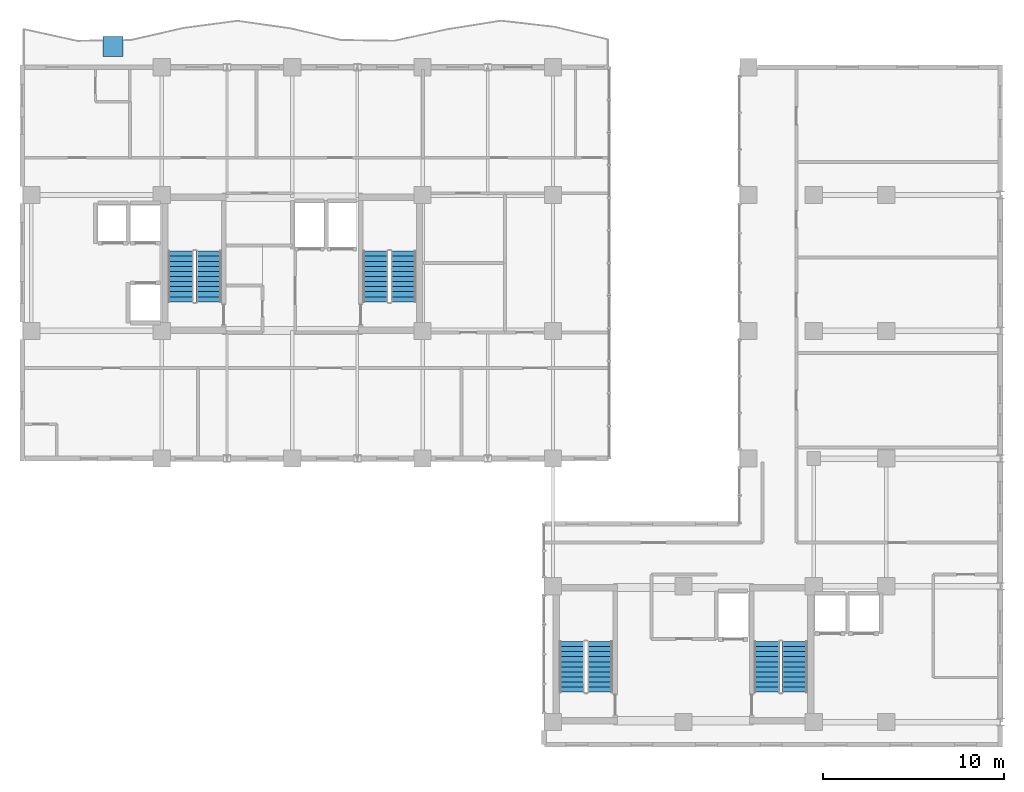
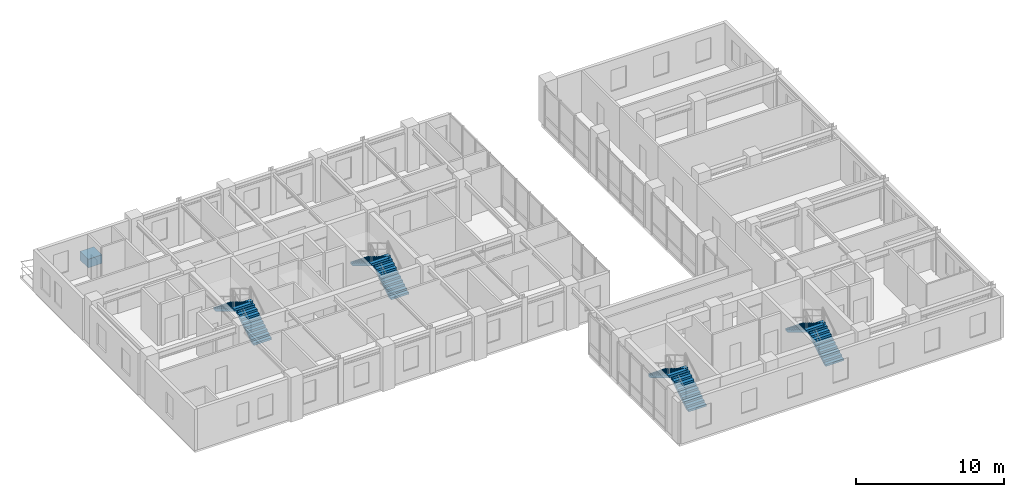
# One storey, part 21 of 24: 8 stair flights, 1 discrete accessory, 4 elements without a shape of their own.
"""IFC4 building model written with IfcOpenShell, lengths in metres."""

from ifc_helpers import new_model, si_unit, direction, frame, origin, origin_2d, place, context, subcontext, project, spatial, polyline, rectangle, outline, extrude, source, transform, mapped, material, type_object, element, aggregate, save


model = new_model("IFC4")

# Units and contexts
model_context = context("Model", 3, precision=1e-05, world=origin(), true_north=direction((0.0, 1.0)))
body_context = subcontext(model_context, "Body", "Model", "MODEL_VIEW")
ifc_project = project(units=[si_unit("LENGTHUNIT", "METRE"), si_unit("AREAUNIT", "SQUARE_METRE"), si_unit("VOLUMEUNIT", "CUBIC_METRE"), si_unit("PLANEANGLEUNIT", "RADIAN"), si_unit("MASSUNIT", "GRAM", prefix="KILO")], contexts=[model_context])

# Site, building, storey
site_placement = place(None, origin())
site = spatial("IfcSite", under=ifc_project, at=site_placement, CompositionType="ELEMENT")
building_placement = place(site_placement, origin())
building = spatial("IfcBuilding", under=site, at=building_placement, Name="Kaliganga Portal Commons", CompositionType="ELEMENT")
storey_placement = place(building_placement, frame((0.0, 0.0, 238.800048828125)))
storey = spatial("IfcBuildingStorey", under=building, at=storey_placement, Name="L61", CompositionType="ELEMENT", Elevation=238.800048828125)

# Stair, stair flights
ifc_material_1 = material(Name="Concrete C40/50", Category="concrete")
stair_type = type_object("IfcStairType", Name="ST-CORE-DOGLEG", PredefinedType="HALF_TURN_STAIR", material=ifc_material_1)
stair_1_placement = place(storey_placement, origin())
stair_1 = element("IfcStair", 1, at=stair_1_placement, inside=storey, type_object=stair_type, Name="L61 Protected Exit Stair ST-A1", PredefinedType="HALF_TURN_STAIR")
stair_flight_type = type_object("IfcStairFlightType", Name="STF-RC-1400", PredefinedType="STRAIGHT", material=ifc_material_1)
stair_flight_1_placement = place(storey_placement, frame((17.0, 30.25, 0.0), z_axis=(0.0, 0.0, 1.0), x_axis=(0.0, 1.0, 0.0)))
stair_flight_1 = element("IfcStairFlight", 2, at=stair_flight_1_placement, type_object=stair_flight_type, Name="ST-A1 flight 1", NumberOfRisers=11, NumberOfTreads=10, PredefinedType="STRAIGHT", RiserHeight=0.168181818, TreadLength=0.28, context=body_context, shape_type="SweptSolid", body=[
    extrude(outline(polyline([(0.0, 0.0), (0.0, 0.168212890625), (0.280029296875, 0.168212890625), (0.280029296875, 0.33642578125), (0.56005859375, 0.33642578125), (0.56005859375, 0.504638671875), (0.840087890625, 0.504638671875), (0.840087890625, 0.672607421875), (1.1201171875, 0.672607421875), (1.1201171875, 0.8408203125), (1.39990234375, 0.8408203125), (1.39990234375, 1.009033203125), (1.679931640625, 1.009033203125), (1.679931640625, 1.17724609375), (1.9599609375, 1.17724609375), (1.9599609375, 1.345458984375), (2.239990234375, 1.345458984375), (2.239990234375, 1.513671875), (2.52001953125, 1.513671875), (2.52001953125, 1.681884765625), (2.800048828125, 1.681884765625), (2.800048828125, 1.85009765625), (2.800048828125, 1.5068359375), (0.291015625, 0.0), (0.0, 0.0)])), frame((0.0, 0.699951171875, 0.0), z_axis=(0.0, -1.0, 0.0), x_axis=(1.0, 0.0, 0.0)), (0.0, 0.0, 1.0), 1.39990234375),
])
stair_flight_2_placement = place(storey_placement, frame((15.449951171875, 33.050048828125, 1.849853515625), z_axis=(0.0, 0.0, 1.0), x_axis=(0.0, -1.0, 0.0)))
stair_flight_2 = element("IfcStairFlight", 3, at=stair_flight_2_placement, type_object=stair_flight_type, Name="ST-A1 flight 2", NumberOfRisers=11, NumberOfTreads=10, PredefinedType="STRAIGHT", RiserHeight=0.168181818, TreadLength=0.28, context=body_context, shape_type="SweptSolid", body=[
    extrude(outline(polyline([(0.0, 0.0), (0.0, 0.168212890625), (0.280029296875, 0.168212890625), (0.280029296875, 0.33642578125), (0.56005859375, 0.33642578125), (0.56005859375, 0.504638671875), (0.840087890625, 0.504638671875), (0.840087890625, 0.672607421875), (1.1201171875, 0.672607421875), (1.1201171875, 0.8408203125), (1.39990234375, 0.8408203125), (1.39990234375, 1.009033203125), (1.679931640625, 1.009033203125), (1.679931640625, 1.17724609375), (1.9599609375, 1.17724609375), (1.9599609375, 1.345458984375), (2.239990234375, 1.345458984375), (2.239990234375, 1.513671875), (2.52001953125, 1.513671875), (2.52001953125, 1.681884765625), (2.800048828125, 1.681884765625), (2.800048828125, 1.85009765625), (2.800048828125, 1.5068359375), (0.291015625, 0.0), (0.0, 0.0)])), frame((0.0, 0.699951171875, 0.0), z_axis=(0.0, -1.0, 0.0), x_axis=(1.0, 0.0, 0.0)), (0.0, 0.0, 1.0), 1.39990234375),
])
aggregate(stair_1, [stair_flight_1, stair_flight_2])

stair_2_placement = place(storey_placement, origin())
stair_2 = element("IfcStair", 4, at=stair_2_placement, inside=storey, type_object=stair_type, Name="L61 Protected Exit Stair ST-A2", PredefinedType="HALF_TURN_STAIR")
stair_flight_3_placement = place(storey_placement, frame((27.75, 30.25, 0.0), z_axis=(0.0, 0.0, 1.0), x_axis=(0.0, 1.0, 0.0)))
stair_flight_3 = element("IfcStairFlight", 5, at=stair_flight_3_placement, type_object=stair_flight_type, Name="ST-A2 flight 1", NumberOfRisers=11, NumberOfTreads=10, PredefinedType="STRAIGHT", RiserHeight=0.168181818, TreadLength=0.28, context=body_context, shape_type="SweptSolid", body=[
    extrude(outline(polyline([(0.0, 0.0), (0.0, 0.168212890625), (0.280029296875, 0.168212890625), (0.280029296875, 0.33642578125), (0.56005859375, 0.33642578125), (0.56005859375, 0.504638671875), (0.840087890625, 0.504638671875), (0.840087890625, 0.672607421875), (1.1201171875, 0.672607421875), (1.1201171875, 0.8408203125), (1.39990234375, 0.8408203125), (1.39990234375, 1.009033203125), (1.679931640625, 1.009033203125), (1.679931640625, 1.17724609375), (1.9599609375, 1.17724609375), (1.9599609375, 1.345458984375), (2.239990234375, 1.345458984375), (2.239990234375, 1.513671875), (2.52001953125, 1.513671875), (2.52001953125, 1.681884765625), (2.800048828125, 1.681884765625), (2.800048828125, 1.85009765625), (2.800048828125, 1.5068359375), (0.291015625, 0.0), (0.0, 0.0)])), frame((0.0, 0.699951171875, 0.0), z_axis=(0.0, -1.0, 0.0), x_axis=(1.0, 0.0, 0.0)), (0.0, 0.0, 1.0), 1.39990234375),
])
stair_flight_4_placement = place(storey_placement, frame((26.199951171875, 33.050048828125, 1.849853515625), z_axis=(0.0, 0.0, 1.0), x_axis=(0.0, -1.0, 0.0)))
stair_flight_4 = element("IfcStairFlight", 6, at=stair_flight_4_placement, type_object=stair_flight_type, Name="ST-A2 flight 2", NumberOfRisers=11, NumberOfTreads=10, PredefinedType="STRAIGHT", RiserHeight=0.168181818, TreadLength=0.28, context=body_context, shape_type="SweptSolid", body=[
    extrude(outline(polyline([(0.0, 0.0), (0.0, 0.168212890625), (0.280029296875, 0.168212890625), (0.280029296875, 0.33642578125), (0.56005859375, 0.33642578125), (0.56005859375, 0.504638671875), (0.840087890625, 0.504638671875), (0.840087890625, 0.672607421875), (1.1201171875, 0.672607421875), (1.1201171875, 0.8408203125), (1.39990234375, 0.8408203125), (1.39990234375, 1.009033203125), (1.679931640625, 1.009033203125), (1.679931640625, 1.17724609375), (1.9599609375, 1.17724609375), (1.9599609375, 1.345458984375), (2.239990234375, 1.345458984375), (2.239990234375, 1.513671875), (2.52001953125, 1.513671875), (2.52001953125, 1.681884765625), (2.800048828125, 1.681884765625), (2.800048828125, 1.85009765625), (2.800048828125, 1.5068359375), (0.291015625, 0.0), (0.0, 0.0)])), frame((0.0, 0.699951171875, 0.0), z_axis=(0.0, -1.0, 0.0), x_axis=(1.0, 0.0, 0.0)), (0.0, 0.0, 1.0), 1.39990234375),
])
aggregate(stair_2, [stair_flight_3, stair_flight_4])

stair_3_placement = place(storey_placement, origin())
stair_3 = element("IfcStair", 7, at=stair_3_placement, inside=storey, type_object=stair_type, Name="L61 Protected Exit Stair ST-B1", PredefinedType="HALF_TURN_STAIR")
stair_flight_5_placement = place(storey_placement, frame((38.60009765625, 8.699951171875, 0.0), z_axis=(0.0, 0.0, 1.0), x_axis=(0.0, 1.0, 0.0)))
stair_flight_5 = element("IfcStairFlight", 8, at=stair_flight_5_placement, type_object=stair_flight_type, Name="ST-B1 flight 1", NumberOfRisers=11, NumberOfTreads=10, PredefinedType="STRAIGHT", RiserHeight=0.168181818, TreadLength=0.28, context=body_context, shape_type="SweptSolid", body=[
    extrude(outline(polyline([(0.0, 0.0), (0.0, 0.168212890625), (0.280029296875, 0.168212890625), (0.280029296875, 0.33642578125), (0.56005859375, 0.33642578125), (0.56005859375, 0.504638671875), (0.840087890625, 0.504638671875), (0.840087890625, 0.672607421875), (1.1201171875, 0.672607421875), (1.1201171875, 0.8408203125), (1.39990234375, 0.8408203125), (1.39990234375, 1.009033203125), (1.679931640625, 1.009033203125), (1.679931640625, 1.17724609375), (1.9599609375, 1.17724609375), (1.9599609375, 1.345458984375), (2.239990234375, 1.345458984375), (2.239990234375, 1.513671875), (2.52001953125, 1.513671875), (2.52001953125, 1.681884765625), (2.800048828125, 1.681884765625), (2.800048828125, 1.85009765625), (2.800048828125, 1.5068359375), (0.291015625, 0.0), (0.0, 0.0)])), frame((0.0, 0.699951171875, 0.0), z_axis=(0.0, -1.0, 0.0), x_axis=(1.0, 0.0, 0.0)), (0.0, 0.0, 1.0), 1.39990234375),
])
stair_flight_6_placement = place(storey_placement, frame((37.050048828125, 11.5, 1.849853515625), z_axis=(0.0, 0.0, 1.0), x_axis=(0.0, -1.0, 0.0)))
stair_flight_6 = element("IfcStairFlight", 9, at=stair_flight_6_placement, type_object=stair_flight_type, Name="ST-B1 flight 2", NumberOfRisers=11, NumberOfTreads=10, PredefinedType="STRAIGHT", RiserHeight=0.168181818, TreadLength=0.28, context=body_context, shape_type="SweptSolid", body=[
    extrude(outline(polyline([(0.0, 0.0), (0.0, 0.168212890625), (0.280029296875, 0.168212890625), (0.280029296875, 0.33642578125), (0.56005859375, 0.33642578125), (0.56005859375, 0.504638671875), (0.840087890625, 0.504638671875), (0.840087890625, 0.672607421875), (1.1201171875, 0.672607421875), (1.1201171875, 0.8408203125), (1.39990234375, 0.8408203125), (1.39990234375, 1.009033203125), (1.679931640625, 1.009033203125), (1.679931640625, 1.17724609375), (1.9599609375, 1.17724609375), (1.9599609375, 1.345458984375), (2.239990234375, 1.345458984375), (2.239990234375, 1.513671875), (2.52001953125, 1.513671875), (2.52001953125, 1.681884765625), (2.800048828125, 1.681884765625), (2.800048828125, 1.85009765625), (2.800048828125, 1.5068359375), (0.291015625, 0.0), (0.0, 0.0)])), frame((0.0, 0.699951171875, 0.0), z_axis=(0.0, -1.0, 0.0), x_axis=(1.0, 0.0, 0.0)), (0.0, 0.0, 1.0), 1.39990234375),
])
aggregate(stair_3, [stair_flight_5, stair_flight_6])

stair_4_placement = place(storey_placement, origin())
stair_4 = element("IfcStair", 10, at=stair_4_placement, inside=storey, type_object=stair_type, Name="L61 Protected Exit Stair ST-B2", PredefinedType="HALF_TURN_STAIR")
stair_flight_7_placement = place(storey_placement, frame((49.35009765625, 8.699951171875, 0.0), z_axis=(0.0, 0.0, 1.0), x_axis=(0.0, 1.0, 0.0)))
stair_flight_7 = element("IfcStairFlight", 11, at=stair_flight_7_placement, type_object=stair_flight_type, Name="ST-B2 flight 1", NumberOfRisers=11, NumberOfTreads=10, PredefinedType="STRAIGHT", RiserHeight=0.168181818, TreadLength=0.28, context=body_context, shape_type="SweptSolid", body=[
    extrude(outline(polyline([(0.0, 0.0), (0.0, 0.168212890625), (0.280029296875, 0.168212890625), (0.280029296875, 0.33642578125), (0.56005859375, 0.33642578125), (0.56005859375, 0.504638671875), (0.840087890625, 0.504638671875), (0.840087890625, 0.672607421875), (1.1201171875, 0.672607421875), (1.1201171875, 0.8408203125), (1.39990234375, 0.8408203125), (1.39990234375, 1.009033203125), (1.679931640625, 1.009033203125), (1.679931640625, 1.17724609375), (1.9599609375, 1.17724609375), (1.9599609375, 1.345458984375), (2.239990234375, 1.345458984375), (2.239990234375, 1.513671875), (2.52001953125, 1.513671875), (2.52001953125, 1.681884765625), (2.800048828125, 1.681884765625), (2.800048828125, 1.85009765625), (2.800048828125, 1.5068359375), (0.291015625, 0.0), (0.0, 0.0)])), frame((0.0, 0.699951171875, 0.0), z_axis=(0.0, -1.0, 0.0), x_axis=(1.0, 0.0, 0.0)), (0.0, 0.0, 1.0), 1.39990234375),
])
stair_flight_8_placement = place(storey_placement, frame((47.800048828125, 11.5, 1.849853515625), z_axis=(0.0, 0.0, 1.0), x_axis=(0.0, -1.0, 0.0)))
stair_flight_8 = element("IfcStairFlight", 12, at=stair_flight_8_placement, type_object=stair_flight_type, Name="ST-B2 flight 2", NumberOfRisers=11, NumberOfTreads=10, PredefinedType="STRAIGHT", RiserHeight=0.168181818, TreadLength=0.28, context=body_context, shape_type="SweptSolid", body=[
    extrude(outline(polyline([(0.0, 0.0), (0.0, 0.168212890625), (0.280029296875, 0.168212890625), (0.280029296875, 0.33642578125), (0.56005859375, 0.33642578125), (0.56005859375, 0.504638671875), (0.840087890625, 0.504638671875), (0.840087890625, 0.672607421875), (1.1201171875, 0.672607421875), (1.1201171875, 0.8408203125), (1.39990234375, 0.8408203125), (1.39990234375, 1.009033203125), (1.679931640625, 1.009033203125), (1.679931640625, 1.17724609375), (1.9599609375, 1.17724609375), (1.9599609375, 1.345458984375), (2.239990234375, 1.345458984375), (2.239990234375, 1.513671875), (2.52001953125, 1.513671875), (2.52001953125, 1.681884765625), (2.800048828125, 1.681884765625), (2.800048828125, 1.85009765625), (2.800048828125, 1.5068359375), (0.291015625, 0.0), (0.0, 0.0)])), frame((0.0, 0.699951171875, 0.0), z_axis=(0.0, -1.0, 0.0), x_axis=(1.0, 0.0, 0.0)), (0.0, 0.0, 1.0), 1.39990234375),
])
aggregate(stair_4, [stair_flight_7, stair_flight_8])

# Discrete accessory
ifc_material_2 = material(Name="Precast concrete C40/50", Category="concrete")
discrete_accessory_type = type_object("IfcDiscreteAccessoryType", Name="DAC-PLANTER-RC", PredefinedType="USERDEFINED", material=ifc_material_2)
shared_shape = source(origin(), body_context, "Body", "SweptSolid", [
    extrude(rectangle(XDim=1.10009765625, YDim=1.10009765625, at=origin_2d()), origin(), (0.0, 0.0, 1.0), 0.719970703125),
])
discrete_accessory_placement = place(storey_placement, frame((11.699951171875, 44.35009765625, 0.0), z_axis=(0.0, 0.0, 1.0), x_axis=(1.0, 0.0, 0.0)))
element("IfcDiscreteAccessory", 13, at=discrete_accessory_placement, inside=storey, type_object=discrete_accessory_type, Name="Structural Tree Planter L61 balc_north", ObjectType="PLANTER", PredefinedType="USERDEFINED", context=body_context, shape_type="MappedRepresentation", body=[
    mapped(shared_shape, transform((0.0, 0.0, 0.0), x_axis=(1.0, 0.0, 0.0), y_axis=(0.0, 1.0, 0.0), z_axis=(0.0, 0.0, 1.0), scale=1.0)),
])

save(model, "model.ifc")
